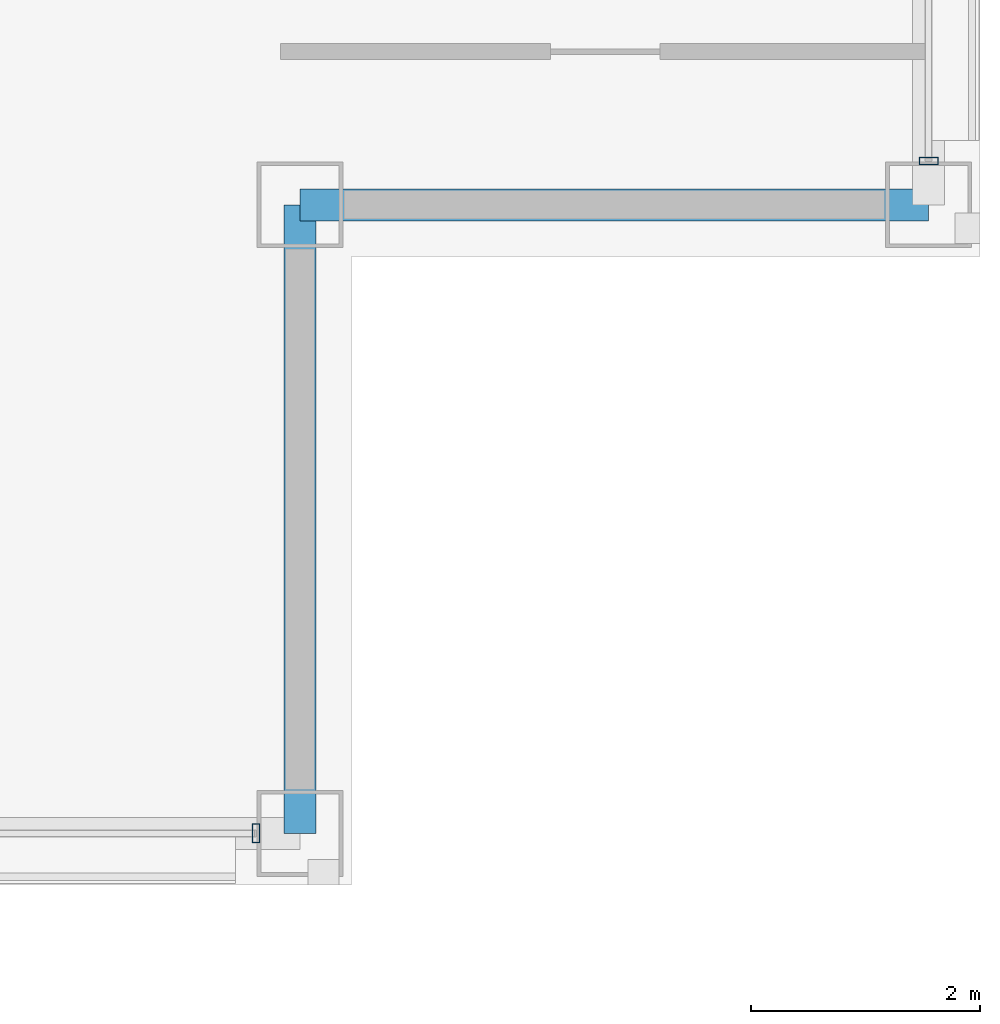
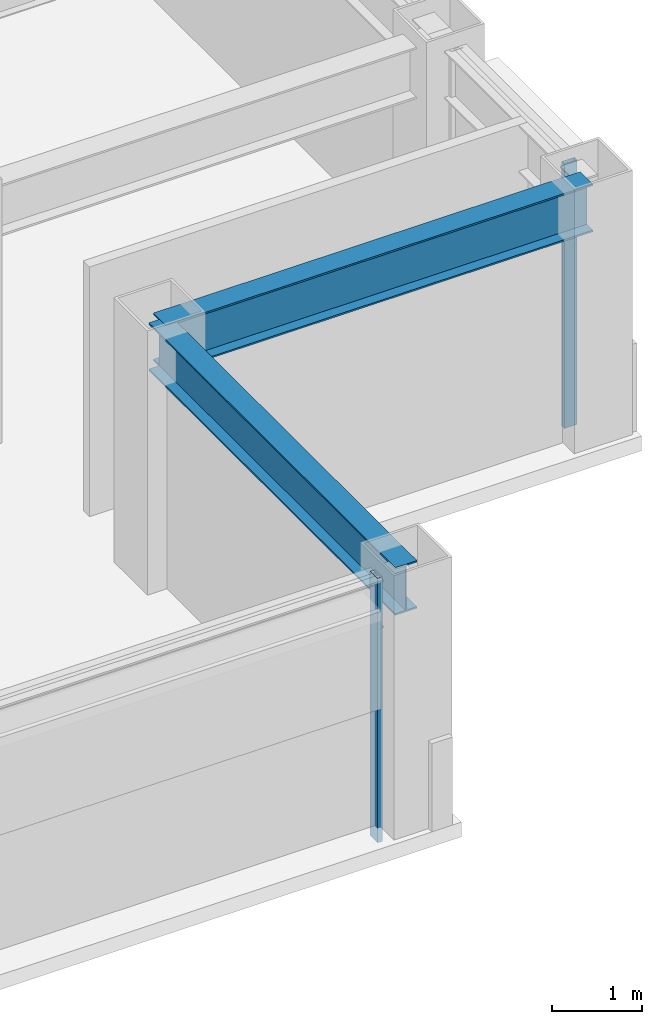
# One storey, part 11 of 28: 2 beams, 2 members, 2 elements without a shape of their own.
"""IFC4 building model written with IfcOpenShell, lengths in metres."""

from ifc_helpers import new_model, si_unit, direction, frame, origin, origin_2d, place, context, subcontext, project, spatial, hollow_rectangle, i_section, extrude, material, layer, layer_set, material_profile, profile_set, type_object, element, aggregate, save


model = new_model("IFC4")

# Units and contexts
model_context = context("Model", 3, precision=1e-05, world=origin(), true_north=direction((0.0, 1.0)))
body_context = subcontext(model_context, "Body", "Model", "MODEL_VIEW")
ifc_project = project(units=[si_unit("LENGTHUNIT", "METRE"), si_unit("AREAUNIT", "SQUARE_METRE"), si_unit("VOLUMEUNIT", "CUBIC_METRE"), si_unit("PLANEANGLEUNIT", "RADIAN"), si_unit("MASSUNIT", "GRAM", prefix="KILO")], contexts=[model_context])

# Site, building, storey
site_placement = place(None, origin())
site = spatial("IfcSite", under=ifc_project, at=site_placement, CompositionType="ELEMENT")
building_placement = place(site_placement, origin())
building = spatial("IfcBuilding", under=site, at=building_placement, Name="Brelmoor Portico Tower", CompositionType="ELEMENT")
storey_placement = place(building_placement, frame((0.0, 0.0, 155.10009765625)))
storey = spatial("IfcBuildingStorey", under=building, at=storey_placement, Name="L40", CompositionType="ELEMENT", Elevation=155.10009765625)

# Beams
ifc_material_1 = material(Name="Steel Q355B", Category="steel")
ifc_material_profile_1 = material_profile(ifc_material_1, i_section(OverallWidth=0.280029296875, OverallDepth=0.64990234375, WebThickness=0.012939453125, FlangeThickness=0.02197265625, at=origin_2d()), Name="HN 650x280x13x22")
ifc_profile_set_1 = profile_set([ifc_material_profile_1], Name="Steel Q355B")
beam_type = type_object("IfcBeamType", Name="BM-SP-650", PredefinedType="SPANDREL", material=ifc_profile_set_1)
for number, where, z_axis, x_axis, name in (
    (1, (15.050048828125, -13.050048828125, 3.074951171875), (1.0, 0.0, 0.0), (0.0, 1.0, 0.0), "L40 Perimeter Spandrel Beam SP-05"),
    (2, (15.050048828125, -18.550048828125, 3.074951171875), (0.0, 1.0, 0.0), (-1.0, 0.0, 0.0), "L40 Perimeter Spandrel Beam SP-16"),
):
    element("IfcBeam", number, at=place(storey_placement, frame(where, z_axis=z_axis, x_axis=x_axis)), inside=storey, type_object=beam_type, Name=name, PredefinedType="SPANDREL", context=body_context, shape_type="SweptSolid", body=[
        extrude(i_section(OverallWidth=0.280029296875, OverallDepth=0.64990234375, WebThickness=0.012939453125, FlangeThickness=0.02197265625, at=origin_2d()), origin(), (0.0, 0.0, 1.0), 5.5),
    ])

# Curtain wall, member
ifc_material_2 = material(Name="Anodised Aluminium Alloy 6063-T6", Category="aluminium")
ifc_layer = layer(ifc_material_2, 0.179931640625)
ifc_layer_set = layer_set([ifc_layer], Name="Anodised Aluminium Alloy 6063-T6")
curtain_wall_type = type_object("IfcCurtainWallType", Name="CW-TOWER-Z3-XB", PredefinedType="NOTDEFINED", material=ifc_layer_set)
curtain_wall_1_placement = place(storey_placement, origin())
curtain_wall_1 = element("IfcCurtainWall", 3, at=curtain_wall_1_placement, inside=storey, type_object=curtain_wall_type, Name="L40 Curtain Wall CW-L40-01-3", PredefinedType="NOTDEFINED")
ifc_material_profile_2 = material_profile(ifc_material_2, hollow_rectangle(XDim=0.06494140625, YDim=0.1650390625, WallThickness=0.00390625, at=origin_2d()), Name="ALU MULLION 65x165")
ifc_profile_set_2 = profile_set([ifc_material_profile_2], Name="Anodised Aluminium Alloy 6063-T6")
member_type = type_object("IfcMemberType", Name="MB-CW-MULL-165", PredefinedType="MULLION", material=ifc_profile_set_2)
member_1_placement = place(storey_placement, frame((14.6650390625, -18.550048828125, -0.2001953125), z_axis=(0.0, 0.0, 1.0), x_axis=(1.0, 0.0, 0.0)))
member_1 = element("IfcMember", 4, at=member_1_placement, type_object=member_type, Name="CW-L40-01-3 Mullion 01", PredefinedType="MULLION", context=body_context, shape_type="SweptSolid", body=[
    extrude(hollow_rectangle(XDim=0.06494140625, YDim=0.1650390625, WallThickness=0.00390625, at=origin_2d()), origin(), (0.0, 0.0, 1.0), 3.60009765625),
])
aggregate(curtain_wall_1, [member_1])

curtain_wall_2_placement = place(storey_placement, origin())
curtain_wall_2 = element("IfcCurtainWall", 5, at=curtain_wall_2_placement, inside=storey, type_object=curtain_wall_type, Name="L40 Curtain Wall CW-L40-04-1", PredefinedType="NOTDEFINED")
member_2_placement = place(storey_placement, frame((20.550048828125, -12.6650390625, -0.2001953125), z_axis=(0.0, 0.0, 1.0), x_axis=(0.0, 1.0, 0.0)))
member_2 = element("IfcMember", 6, at=member_2_placement, type_object=member_type, Name="CW-L40-04-1 Mullion 00", PredefinedType="MULLION", context=body_context, shape_type="SweptSolid", body=[
    extrude(hollow_rectangle(XDim=0.06494140625, YDim=0.1650390625, WallThickness=0.00390625, at=origin_2d()), origin(), (0.0, 0.0, 1.0), 3.60009765625),
])
aggregate(curtain_wall_2, [member_2])

save(model, "model.ifc")
